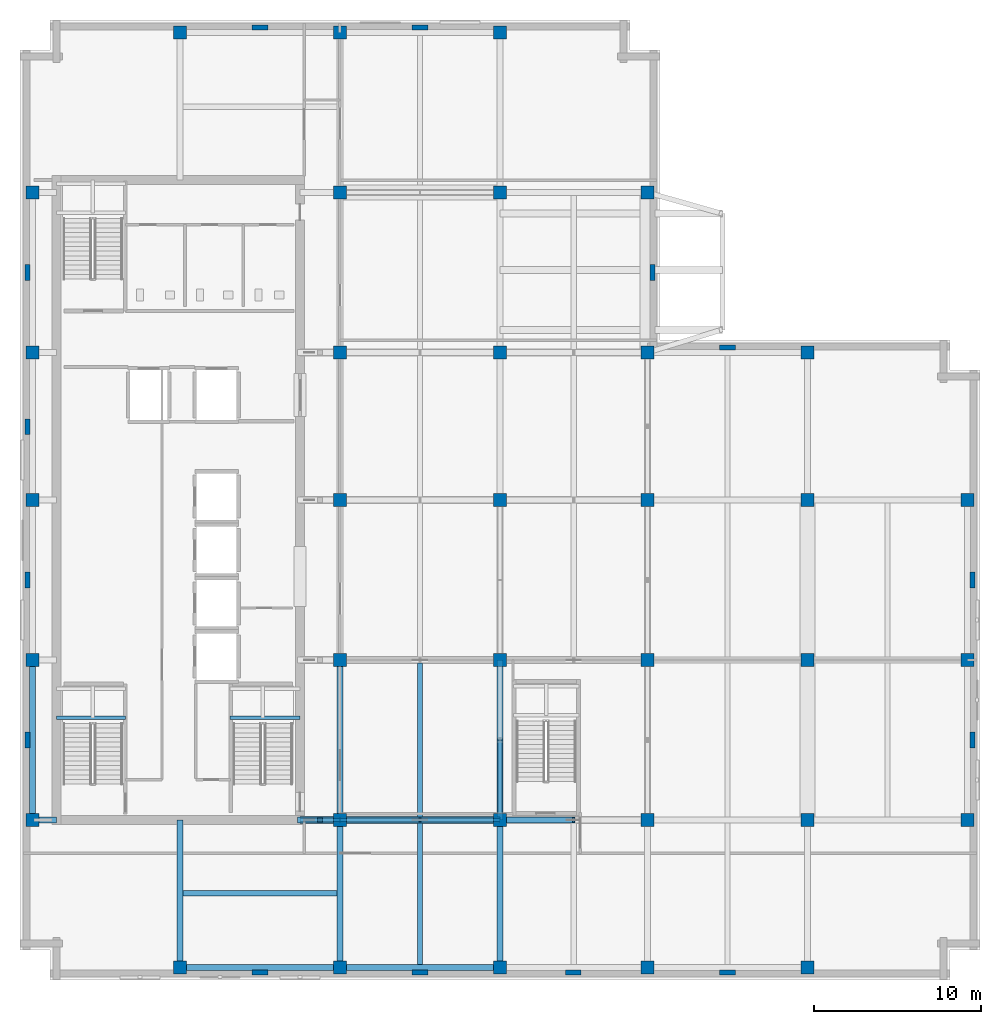
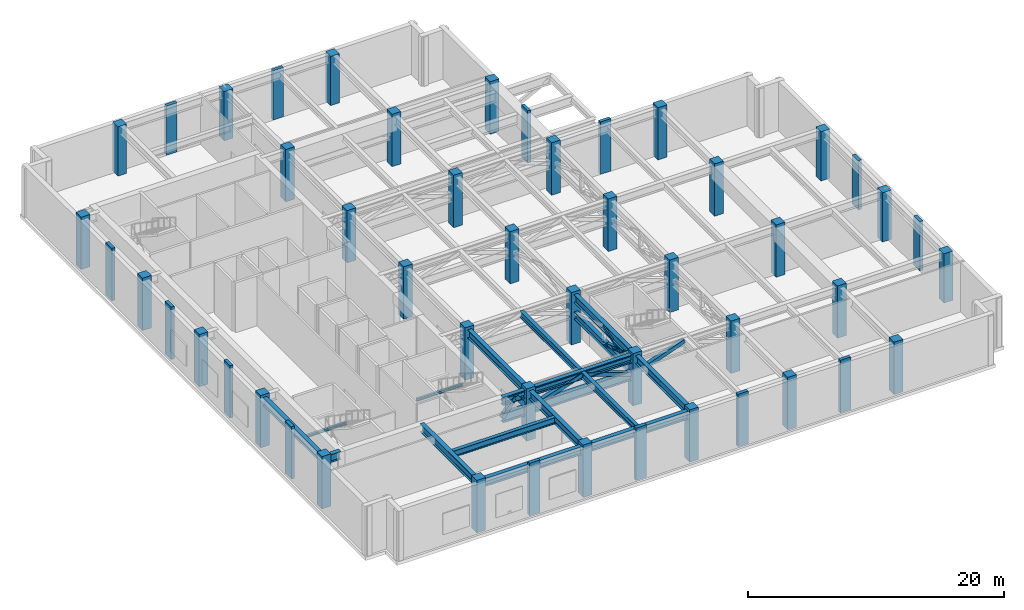
# One storey, part 1 of 19: 49 columns, 19 beams, 9 members.
"""IFC4 building model written with IfcOpenShell, lengths in metres."""

import ifcopenshell
import ifcopenshell.guid

model = None  # the IFC model being written
_history = None  # IfcOwnerHistory: only IFC2X3 demands one
_inside = {}  # id of a spatial element -> (the spatial element, [elements in it])
_under = {}  # id of a project, library or spatial element -> (it, [spatial elements below it])
_declared = {}  # id of a project -> (the project, [libraries it declares])
_typed = {}  # id of a type object -> (the type object, [elements of that type])
_made_of = {}  # id of a material, layer set ... -> (it, [elements and type objects made of it])


def new_model(schema):
    """Start an empty IFC model of exactly this schema.

    Asked for "IFC4X3", IfcOpenShell would pick the latest addendum, in which some entities
    have other attributes; the version numbers below select the first issue.
    IFC2X3 requires an IfcOwnerHistory on every rooted entity: one is made here for all.
    """
    global model, _history
    if schema == "IFC4X3":
        model = ifcopenshell.file(schema_version=(4, 3, 0, 0))
    else:
        model = ifcopenshell.file(schema=schema)
    _inside.clear()
    _under.clear()
    _declared.clear()
    _typed.clear()
    _made_of.clear()
    _history = None
    if model.schema == "IFC2X3":
        org = make("IfcOrganization", Name="unknown")
        user = make(
            "IfcPersonAndOrganization",
            ThePerson=make("IfcPerson", FamilyName="unknown"),
            TheOrganization=org,
        )
        app = make(
            "IfcApplication",
            ApplicationDeveloper=org,
            Version="unknown",
            ApplicationFullName="unknown",
            ApplicationIdentifier="unknown",
        )
        _history = make(
            "IfcOwnerHistory",
            OwningUser=user,
            OwningApplication=app,
            ChangeAction="ADDED",
            CreationDate=0,
        )
    return model


def make(cls, **values):
    """One entity of the class cls with the attributes given. An attribute that is None is left unset."""
    return model.create_entity(
        cls, **{name: value for name, value in values.items() if value is not None}
    )


def rooted(cls, **values):
    """An entity with a GlobalId (a new one), such as an element, a storey or a relation."""
    return make(cls, GlobalId=ifcopenshell.guid.new(), OwnerHistory=_history, **values)


def si_unit(unit_type, name, prefix=None):
    """IfcSIUnit, for example si_unit("LENGTHUNIT", "METRE", prefix="MILLI")."""
    return make("IfcSIUnit", UnitType=unit_type, Prefix=prefix, Name=name)


def assignment(units):
    """IfcUnitAssignment: the units of a project."""
    return None if units is None else make("IfcUnitAssignment", Units=units)


def point(xyz):
    """IfcCartesianPoint."""
    return None if xyz is None else make("IfcCartesianPoint", Coordinates=xyz)


def direction(xyz):
    """IfcDirection."""
    return None if xyz is None else make("IfcDirection", DirectionRatios=xyz)


def frame(location, z_axis=None, x_axis=None):
    """IfcAxis2Placement3D, a coordinate frame: its origin and axes. An axis left out is left unset."""
    return make(
        "IfcAxis2Placement3D",
        Location=point(location),
        Axis=direction(z_axis),
        RefDirection=direction(x_axis),
    )


def frame_2d(location, x_axis=None):
    """IfcAxis2Placement2D, a coordinate frame in the plane: its origin and x axis."""
    return make(
        "IfcAxis2Placement2D", Location=point(location), RefDirection=direction(x_axis)
    )


def origin():
    """The frame at (0, 0, 0) with its axes left unset."""
    return frame((0.0, 0.0, 0.0))


def origin_2d():
    """The frame at (0, 0) in the plane with its x axis left unset."""
    return frame_2d((0.0, 0.0))


def place(relative_to, where):
    """IfcLocalPlacement: puts the frame where relative to a parent placement (None: the world)."""
    return make(
        "IfcLocalPlacement", PlacementRelTo=relative_to, RelativePlacement=where
    )


def context(
    kind, dimensions, precision=None, world=None, true_north=None, identifier=None
):
    """IfcGeometricRepresentationContext, for example the 3D "Model" context."""
    return make(
        "IfcGeometricRepresentationContext",
        ContextIdentifier=identifier,
        ContextType=kind,
        CoordinateSpaceDimension=dimensions,
        Precision=precision,
        WorldCoordinateSystem=world,
        TrueNorth=true_north,
    )


def subcontext(parent, identifier, kind, view, scale=None):
    """IfcGeometricRepresentationSubContext, for example "Body" below "Model"."""
    return make(
        "IfcGeometricRepresentationSubContext",
        ContextIdentifier=identifier,
        ContextType=kind,
        ParentContext=parent,
        TargetScale=scale,
        TargetView=view,
    )


def project(units=None, contexts=None):
    """IfcProject with its units and contexts."""
    return rooted(
        "IfcProject",
        Name="project",
        RepresentationContexts=contexts,
        UnitsInContext=assignment(units),
    )


def spatial(cls, under=None, at=None, **own):
    """A site, building, storey or space (cls), placed at a placement, below another one or the project."""
    s = rooted(cls, ObjectPlacement=at, **own)
    if under is not None:
        _under.setdefault(under.id(), (under, []))[1].append(s)
    return s


def profile(cls, at=None, kind="AREA", **sizes):
    """A parametric profile (cls). Its sizes go by their IFC names, for example OverallWidth=200.0."""
    return make(cls, ProfileType=kind, Position=at, **sizes)


def rectangle(**sizes):
    """IfcRectangleProfileDef."""
    return profile("IfcRectangleProfileDef", **sizes)


def hollow_rectangle(**sizes):
    """IfcRectangleHollowProfileDef."""
    return profile("IfcRectangleHollowProfileDef", **sizes)


def i_section(**sizes):
    """IfcIShapeProfileDef."""
    return profile("IfcIShapeProfileDef", **sizes)


def extrude(swept, where, along, depth):
    """IfcExtrudedAreaSolid: the profile swept, set in the frame where, extruded along a direction by depth."""
    return make(
        "IfcExtrudedAreaSolid",
        SweptArea=swept,
        Position=where,
        ExtrudedDirection=direction(along),
        Depth=depth,
    )


def shape(context_of_items, identifier, shape_type, items):
    """IfcShapeRepresentation: the items that make up one representation, for example the "Body"."""
    return make(
        "IfcShapeRepresentation",
        ContextOfItems=context_of_items,
        RepresentationIdentifier=identifier,
        RepresentationType=shape_type,
        Items=items,
    )


def material(Name=None, Category=None):
    """IfcMaterial."""
    return make("IfcMaterial", Name=Name, Category=Category)


def material_profile(
    of_material, cross_section, Name=None, Category=None, Priority=None
):
    """IfcMaterialProfile: a cross section and its material."""
    return make(
        "IfcMaterialProfile",
        Name=Name,
        Material=of_material,
        Profile=cross_section,
        Priority=Priority,
        Category=Category,
    )


def profile_set(profiles, Name=None, composite=None):
    """IfcMaterialProfileSet."""
    return make(
        "IfcMaterialProfileSet",
        Name=Name,
        MaterialProfiles=profiles,
        CompositeProfile=composite,
    )


def made_of(thing, what):
    """Note that an element or type object is made of a material, layer set ...; save() writes the relation."""
    if what is not None:
        _made_of.setdefault(what.id(), (what, []))[1].append(thing)
    return thing


def type_object(cls, material=None, **own):
    """A type object (cls), such as IfcWallType, which elements share."""
    return made_of(rooted(cls, **own), material)


def element(
    cls,
    number,
    at=None,
    inside=None,
    cuts=None,
    type_object=None,
    material=None,
    context=None,
    identifier="Body",
    shape_type=None,
    held_by="IfcProductDefinitionShape",
    body=None,
    shapes=None,
    **own,
):
    """One element of the class cls, such as IfcWall. Its Tag is "e" and its number.

    at: its placement. inside: the storey or other place that contains it. cuts: it is an
    opening in that element (IfcRelVoidsElement). A single representation is given by context,
    identifier, shape_type and body (its items); several are given by shapes. held_by: the class
    of the entity that holds the representations. save() writes the other relations.
    """
    e = rooted(cls, Tag="e%d" % number, ObjectPlacement=at, **own)
    if body is not None:
        shapes = [shape(context, identifier, shape_type, body)]
    if shapes is not None:
        e.Representation = make(held_by, Representations=shapes)
    if inside is not None:
        _inside.setdefault(inside.id(), (inside, []))[1].append(e)
    if cuts is not None:
        rooted(
            "IfcRelVoidsElement", RelatingBuildingElement=cuts, RelatedOpeningElement=e
        )
    if type_object is not None:
        _typed.setdefault(type_object.id(), (type_object, []))[1].append(e)
    return made_of(e, material)


def aggregate(whole, parts):
    """IfcRelAggregates: a whole, such as a stair, and the parts it consists of."""
    return rooted("IfcRelAggregates", RelatingObject=whole, RelatedObjects=parts)


def save(model, path):
    """Write the relations noted so far, then the file.

    IfcRelAggregates (storeys below a building ...), IfcRelContainedInSpatialStructure (elements
    in a storey), IfcRelDefinesByType, IfcRelAssociatesMaterial and IfcRelDeclares: one each for
    every whole, place, type object, material and project.
    """
    for whole, parts in _under.values():
        aggregate(whole, parts)
    for where, things in _inside.values():
        rooted(
            "IfcRelContainedInSpatialStructure",
            RelatedElements=things,
            RelatingStructure=where,
        )
    for kind, things in _typed.values():
        rooted("IfcRelDefinesByType", RelatedObjects=things, RelatingType=kind)
    for what, things in _made_of.values():
        rooted("IfcRelAssociatesMaterial", RelatedObjects=things, RelatingMaterial=what)
    for by, libraries in _declared.values():
        rooted("IfcRelDeclares", RelatingContext=by, RelatedDefinitions=libraries)
    model.write(path)


model = new_model("IFC4")

# Units and contexts
model_context = context("Model", 3, precision=1e-05, world=origin(), true_north=direction((0.0, 1.0)))
body_context = subcontext(model_context, "Body", "Model", "MODEL_VIEW")
ifc_project = project(units=[si_unit("LENGTHUNIT", "METRE"), si_unit("AREAUNIT", "SQUARE_METRE"), si_unit("VOLUMEUNIT", "CUBIC_METRE"), si_unit("PLANEANGLEUNIT", "RADIAN"), si_unit("MASSUNIT", "GRAM", prefix="KILO")], contexts=[model_context])

# Site, building, storey
site_placement = place(None, origin())
site = spatial("IfcSite", under=ifc_project, at=site_placement, CompositionType="ELEMENT")
building_placement = place(site_placement, origin())
building = spatial("IfcBuilding", under=site, at=building_placement, Name="Norrvale University Quadrangle", CompositionType="ELEMENT")
storey_placement = place(building_placement, frame((0.0, 0.0, 256.0)))
storey = spatial("IfcBuildingStorey", under=building, at=storey_placement, Name="L65", CompositionType="ELEMENT", Elevation=256.0)

# Columns
ifc_material_1 = material(Name="Red Manganese Brick Concrete C60/75", Category="concrete")
ifc_material_profile_1 = material_profile(ifc_material_1, rectangle(XDim=0.949951171875, YDim=0.300048828125, at=origin_2d()), Name="Red Manganese Brick Concrete C60/75")
ifc_profile_set_1 = profile_set([ifc_material_profile_1], Name="Red Manganese Brick Concrete C60/75")
column_type_1 = type_object("IfcColumnType", Name="Column Brick Pier 950x300", PredefinedType="PILASTER", material=ifc_profile_set_1)
for number, where, z_axis, x_axis, name in (
    (1, (0.449951171875, 14.39990234375, 0.0), (0.0, 0.0, 1.0), (0.0, 1.0, 0.0), "Exterior Brick Facade Pilaster L65-01"),
    (2, (0.449951171875, 24.0, 0.0), (0.0, 0.0, 1.0), (0.0, 1.0, 0.0), "Exterior Brick Facade Pilaster L65-02"),
    (3, (0.449951171875, 33.199951171875, 0.0), (0.0, 0.0, 1.0), (0.0, 1.0, 0.0), "Exterior Brick Facade Pilaster L65-03"),
    (4, (0.449951171875, 42.449951171875, 0.0), (0.0, 0.0, 1.0), (0.0, 1.0, 0.0), "Exterior Brick Facade Pilaster L65-04"),
    (5, (14.39990234375, 0.449951171875, 0.0), (0.0, 0.0, 1.0), (1.0, 0.0, 0.0), "Exterior Brick Facade Pilaster L65-05"),
    (6, (24.0, 0.449951171875, 0.0), (0.0, 0.0, 1.0), (1.0, 0.0, 0.0), "Exterior Brick Facade Pilaster L65-06"),
    (7, (33.199951171875, 0.449951171875, 0.0), (0.0, 0.0, 1.0), (1.0, 0.0, 0.0), "Exterior Brick Facade Pilaster L65-07"),
    (8, (42.449951171875, 0.449951171875, 0.0), (0.0, 0.0, 1.0), (1.0, 0.0, 0.0), "Exterior Brick Facade Pilaster L65-08"),
):
    element("IfcColumn", number, at=place(storey_placement, frame(where, z_axis=z_axis, x_axis=x_axis)), inside=storey, type_object=column_type_1, Name=name, PredefinedType="PILASTER", context=body_context, shape_type="SweptSolid", body=[
        extrude(rectangle(XDim=0.949951171875, YDim=0.300048828125, at=origin_2d()), origin(), (0.0, 0.0, 1.0), 5.0),
    ])
for number, where, z_axis, x_axis, name in (
    (9, (57.14990234375, 14.39990234375, 0.0), (0.0, 0.0, 1.0), (0.0, 1.0, 0.0), "Exterior Brick Facade Pilaster L65-09"),
    (10, (57.14990234375, 24.0, 0.0), (0.0, 0.0, 1.0), (0.0, 1.0, 0.0), "Exterior Brick Facade Pilaster L65-10"),
    (11, (14.39990234375, 57.14990234375, 0.0), (0.0, 0.0, 1.0), (1.0, 0.0, 0.0), "Exterior Brick Facade Pilaster L65-11"),
    (12, (24.0, 57.14990234375, 0.0), (0.0, 0.0, 1.0), (1.0, 0.0, 0.0), "Exterior Brick Facade Pilaster L65-12"),
):
    element("IfcColumn", number, at=place(storey_placement, frame(where, z_axis=z_axis, x_axis=x_axis)), inside=storey, type_object=column_type_1, Name=name, PredefinedType="PILASTER", context=body_context, shape_type="SweptSolid", body=[
        extrude(rectangle(XDim=0.949951171875, YDim=0.300048828125, at=origin_2d()), origin(), (0.0, 0.0, 1.0), 4.699951171875),
    ])
for number, where, z_axis, x_axis, name in (
    (13, (37.949951171875, 42.449951171875, 0.0), (0.0, 0.0, 1.0), (0.0, 1.0, 0.0), "Exterior Brick Facade Pilaster L65-13"),
    (14, (42.449951171875, 37.949951171875, 0.0), (0.0, 0.0, 1.0), (1.0, 0.0, 0.0), "Exterior Brick Facade Pilaster L65-14"),
):
    element("IfcColumn", number, at=place(storey_placement, frame(where, z_axis=z_axis, x_axis=x_axis)), inside=storey, type_object=column_type_1, Name=name, PredefinedType="PILASTER", context=body_context, shape_type="SweptSolid", body=[
        extrude(rectangle(XDim=0.949951171875, YDim=0.300048828125, at=origin_2d()), origin(), (0.0, 0.0, 1.0), 5.0),
    ])
ifc_material_2 = material(Name="Concrete C60/75", Category="concrete")
ifc_material_profile_2 = material_profile(ifc_material_2, rectangle(XDim=0.800048828125, YDim=0.800048828125, at=origin_2d()), Name="Concrete C60/75")
ifc_profile_set_2 = profile_set([ifc_material_profile_2], Name="Concrete C60/75")
column_type_2 = type_object("IfcColumnType", Name="Column Tower Z3 800x800", PredefinedType="COLUMN", material=ifc_profile_set_2)
for number, where, z_axis, x_axis, name in (
    (15, (0.75, 9.60009765625, 0.0), (0.0, 0.0, 1.0), (1.0, 0.0, 0.0), "Tower Column L65-T01"),
    (16, (0.75, 19.199951171875, 0.0), (0.0, 0.0, 1.0), (1.0, 0.0, 0.0), "Tower Column L65-T02"),
    (17, (0.75, 28.800048828125, 0.0), (0.0, 0.0, 1.0), (1.0, 0.0, 0.0), "Tower Column L65-T03"),
    (18, (0.75, 37.64990234375, 0.0), (0.0, 0.0, 1.0), (1.0, 0.0, 0.0), "Tower Column L65-T04"),
    (19, (0.75, 47.25, 0.0), (0.0, 0.0, 1.0), (1.0, 0.0, 0.0), "Tower Column L65-T05"),
    (20, (9.60009765625, 0.75, 0.0), (0.0, 0.0, 1.0), (1.0, 0.0, 0.0), "Tower Column L65-T06"),
):
    element("IfcColumn", number, at=place(storey_placement, frame(where, z_axis=z_axis, x_axis=x_axis)), inside=storey, type_object=column_type_2, Name=name, PredefinedType="COLUMN", context=body_context, shape_type="SweptSolid", body=[
        extrude(rectangle(XDim=0.800048828125, YDim=0.800048828125, at=origin_2d()), origin(), (0.0, 0.0, 1.0), 5.0),
    ])
column_1_placement = place(storey_placement, frame((9.60009765625, 56.85009765625, 0.0), z_axis=(0.0, 0.0, 1.0), x_axis=(1.0, 0.0, 0.0)))
element("IfcColumn", 21, at=column_1_placement, inside=storey, type_object=column_type_2, Name="Tower Column L65-T07", PredefinedType="COLUMN", context=body_context, shape_type="SweptSolid", body=[
    extrude(rectangle(XDim=0.800048828125, YDim=0.800048828125, at=origin_2d()), origin(), (0.0, 0.0, 1.0), 4.699951171875),
])
for number, where, z_axis, x_axis, name in (
    (22, (19.199951171875, 0.75, 0.0), (0.0, 0.0, 1.0), (1.0, 0.0, 0.0), "Tower Column L65-T08"),
    (23, (19.199951171875, 9.60009765625, 0.0), (0.0, 0.0, 1.0), (1.0, 0.0, 0.0), "Tower Column L65-T09"),
    (24, (19.199951171875, 19.199951171875, 0.0), (0.0, 0.0, 1.0), (1.0, 0.0, 0.0), "Tower Column L65-T10"),
    (25, (19.199951171875, 28.800048828125, 0.0), (0.0, 0.0, 1.0), (1.0, 0.0, 0.0), "Tower Column L65-T11"),
    (26, (19.199951171875, 37.64990234375, 0.0), (0.0, 0.0, 1.0), (1.0, 0.0, 0.0), "Tower Column L65-T12"),
    (27, (19.199951171875, 47.25, 0.0), (0.0, 0.0, 1.0), (1.0, 0.0, 0.0), "Tower Column L65-T13"),
):
    element("IfcColumn", number, at=place(storey_placement, frame(where, z_axis=z_axis, x_axis=x_axis)), inside=storey, type_object=column_type_2, Name=name, PredefinedType="COLUMN", context=body_context, shape_type="SweptSolid", body=[
        extrude(rectangle(XDim=0.800048828125, YDim=0.800048828125, at=origin_2d()), origin(), (0.0, 0.0, 1.0), 5.0),
    ])
column_2_placement = place(storey_placement, frame((19.199951171875, 56.85009765625, 0.0), z_axis=(0.0, 0.0, 1.0), x_axis=(1.0, 0.0, 0.0)))
element("IfcColumn", 28, at=column_2_placement, inside=storey, type_object=column_type_2, Name="Tower Column L65-T14", PredefinedType="COLUMN", context=body_context, shape_type="SweptSolid", body=[
    extrude(rectangle(XDim=0.800048828125, YDim=0.800048828125, at=origin_2d()), origin(), (0.0, 0.0, 1.0), 4.699951171875),
])
for number, where, z_axis, x_axis, name in (
    (29, (28.800048828125, 0.75, 0.0), (0.0, 0.0, 1.0), (1.0, 0.0, 0.0), "Tower Column L65-T15"),
    (30, (28.800048828125, 9.60009765625, 0.0), (0.0, 0.0, 1.0), (1.0, 0.0, 0.0), "Tower Column L65-T16"),
    (31, (28.800048828125, 19.199951171875, 0.0), (0.0, 0.0, 1.0), (1.0, 0.0, 0.0), "Tower Column L65-T17"),
    (32, (28.800048828125, 28.800048828125, 0.0), (0.0, 0.0, 1.0), (1.0, 0.0, 0.0), "Tower Column L65-T18"),
    (33, (28.800048828125, 37.64990234375, 0.0), (0.0, 0.0, 1.0), (1.0, 0.0, 0.0), "Tower Column L65-T19"),
    (34, (28.800048828125, 47.25, 0.0), (0.0, 0.0, 1.0), (1.0, 0.0, 0.0), "Tower Column L65-T20"),
):
    element("IfcColumn", number, at=place(storey_placement, frame(where, z_axis=z_axis, x_axis=x_axis)), inside=storey, type_object=column_type_2, Name=name, PredefinedType="COLUMN", context=body_context, shape_type="SweptSolid", body=[
        extrude(rectangle(XDim=0.800048828125, YDim=0.800048828125, at=origin_2d()), origin(), (0.0, 0.0, 1.0), 5.0),
    ])
column_3_placement = place(storey_placement, frame((28.800048828125, 56.85009765625, 0.0), z_axis=(0.0, 0.0, 1.0), x_axis=(1.0, 0.0, 0.0)))
element("IfcColumn", 35, at=column_3_placement, inside=storey, type_object=column_type_2, Name="Tower Column L65-T21", PredefinedType="COLUMN", context=body_context, shape_type="SweptSolid", body=[
    extrude(rectangle(XDim=0.800048828125, YDim=0.800048828125, at=origin_2d()), origin(), (0.0, 0.0, 1.0), 4.699951171875),
])
for number, where, z_axis, x_axis, name in (
    (36, (37.64990234375, 0.75, 0.0), (0.0, 0.0, 1.0), (1.0, 0.0, 0.0), "Tower Column L65-T22"),
    (37, (37.64990234375, 9.60009765625, 0.0), (0.0, 0.0, 1.0), (1.0, 0.0, 0.0), "Tower Column L65-T23"),
    (38, (37.64990234375, 19.199951171875, 0.0), (0.0, 0.0, 1.0), (1.0, 0.0, 0.0), "Tower Column L65-T24"),
    (39, (37.64990234375, 28.800048828125, 0.0), (0.0, 0.0, 1.0), (1.0, 0.0, 0.0), "Tower Column L65-T25"),
    (40, (37.64990234375, 37.64990234375, 0.0), (0.0, 0.0, 1.0), (1.0, 0.0, 0.0), "Tower Column L65-T26"),
    (41, (37.64990234375, 47.25, 0.0), (0.0, 0.0, 1.0), (1.0, 0.0, 0.0), "Tower Column L65-T27"),
    (42, (47.25, 0.75, 0.0), (0.0, 0.0, 1.0), (1.0, 0.0, 0.0), "Tower Column L65-T28"),
    (43, (47.25, 9.60009765625, 0.0), (0.0, 0.0, 1.0), (1.0, 0.0, 0.0), "Tower Column L65-T29"),
    (44, (47.25, 19.199951171875, 0.0), (0.0, 0.0, 1.0), (1.0, 0.0, 0.0), "Tower Column L65-T30"),
    (45, (47.25, 28.800048828125, 0.0), (0.0, 0.0, 1.0), (1.0, 0.0, 0.0), "Tower Column L65-T31"),
    (46, (47.25, 37.64990234375, 0.0), (0.0, 0.0, 1.0), (1.0, 0.0, 0.0), "Tower Column L65-T32"),
):
    element("IfcColumn", number, at=place(storey_placement, frame(where, z_axis=z_axis, x_axis=x_axis)), inside=storey, type_object=column_type_2, Name=name, PredefinedType="COLUMN", context=body_context, shape_type="SweptSolid", body=[
        extrude(rectangle(XDim=0.800048828125, YDim=0.800048828125, at=origin_2d()), origin(), (0.0, 0.0, 1.0), 5.0),
    ])
for number, where, z_axis, x_axis, name in (
    (47, (56.85009765625, 9.60009765625, 0.0), (0.0, 0.0, 1.0), (1.0, 0.0, 0.0), "Tower Column L65-T33"),
    (48, (56.85009765625, 19.199951171875, 0.0), (0.0, 0.0, 1.0), (1.0, 0.0, 0.0), "Tower Column L65-T34"),
    (49, (56.85009765625, 28.800048828125, 0.0), (0.0, 0.0, 1.0), (1.0, 0.0, 0.0), "Tower Column L65-T35"),
):
    element("IfcColumn", number, at=place(storey_placement, frame(where, z_axis=z_axis, x_axis=x_axis)), inside=storey, type_object=column_type_2, Name=name, PredefinedType="COLUMN", context=body_context, shape_type="SweptSolid", body=[
        extrude(rectangle(XDim=0.800048828125, YDim=0.800048828125, at=origin_2d()), origin(), (0.0, 0.0, 1.0), 4.699951171875),
    ])

# Beams
ifc_material_3 = material(Name="Steel 350W", Category="steel")
ifc_material_profile_3 = material_profile(ifc_material_3, i_section(OverallWidth=0.324951171875, OverallDepth=0.615966796875, WebThickness=0.013916015625, FlangeThickness=0.021484375, FilletRadius=0.01611328125, at=origin_2d()), Name="Steel 350W")
ifc_profile_set_3 = profile_set([ifc_material_profile_3], Name="Steel 350W")
beam_type_1 = type_object("IfcBeamType", Name="Beam Belt W610x174", PredefinedType="BEAM", material=ifc_profile_set_3)
beam_1_placement = place(storey_placement, frame((24.0, 0.9404296875, 4.431884765625), z_axis=(0.0, 1.0, 0.0), x_axis=(-1.0, 0.0, 0.0)))
element("IfcBeam", 50, at=beam_1_placement, inside=storey, type_object=beam_type_1, Name="Beam Belt W610x174 BM-L65-J057", PredefinedType="BEAM", context=body_context, shape_type="SweptSolid", body=[
    extrude(i_section(OverallWidth=0.324951171875, OverallDepth=0.615966796875, WebThickness=0.013916015625, FlangeThickness=0.021484375, FilletRadius=0.01611328125, at=origin_2d()), origin(), (0.0, 0.0, 1.0), 8.468994140625),
])
for number, where, z_axis, x_axis, name in (
    (51, (24.0, 9.79052734375, 4.431884765625), (0.0, 1.0, 0.0), (-1.0, 0.0, 0.0), "Beam Belt W610x174 BM-L65-J058"),
    (52, (9.79052734375, 5.199951171875, 4.431884765625), (1.0, 0.0, 0.0), (0.0, 1.0, 0.0), "Beam Belt W610x174 BM-L65-JCS074"),
):
    element("IfcBeam", number, at=place(storey_placement, frame(where, z_axis=z_axis, x_axis=x_axis)), inside=storey, type_object=beam_type_1, Name=name, PredefinedType="BEAM", context=body_context, shape_type="SweptSolid", body=[
        extrude(i_section(OverallWidth=0.324951171875, OverallDepth=0.615966796875, WebThickness=0.013916015625, FlangeThickness=0.021484375, FilletRadius=0.01611328125, at=origin_2d()), origin(), (0.0, 0.0, 1.0), 9.218994140625),
    ])
ifc_material_profile_4 = material_profile(ifc_material_3, i_section(OverallWidth=0.35498046875, OverallDepth=0.695068359375, WebThickness=0.015380859375, FlangeThickness=0.02490234375, FilletRadius=0.01806640625, at=origin_2d()), Name="Steel 350W")
ifc_profile_set_4 = profile_set([ifc_material_profile_4], Name="Steel 350W")
beam_type_2 = type_object("IfcBeamType", Name="Beam Belt W690x217", PredefinedType="BEAM", material=ifc_profile_set_4)
beam_2_placement = place(storey_placement, frame((28.800048828125, 9.60009765625, 2.75), z_axis=(0.0, 1.0, 0.0), x_axis=(-1.0, 0.0, 0.0)))
element("IfcBeam", 53, at=beam_2_placement, inside=storey, type_object=beam_type_2, Name="Belt Truss Chord L65-04", PredefinedType="BEAM", context=body_context, shape_type="SweptSolid", body=[
    extrude(i_section(OverallWidth=0.35498046875, OverallDepth=0.695068359375, WebThickness=0.015380859375, FlangeThickness=0.02490234375, FilletRadius=0.01806640625, at=origin_2d()), origin(), (0.0, 0.0, 1.0), 9.599853515625),
])
ifc_material_profile_5 = material_profile(ifc_material_3, i_section(OverallWidth=0.381103515625, OverallDepth=0.77294921875, WebThickness=0.0166015625, FlangeThickness=0.027587890625, FilletRadius=0.02001953125, at=origin_2d()), Name="Steel 350W")
ifc_profile_set_5 = profile_set([ifc_material_profile_5], Name="Steel 350W")
beam_type_3 = type_object("IfcBeamType", Name="Beam Outrig W760x257", PredefinedType="BEAM", material=ifc_profile_set_5)
beam_3_placement = place(storey_placement, frame((9.60009765625, 0.75, 4.353515625), z_axis=(1.0, 0.0, 0.0), x_axis=(0.0, 1.0, 0.0)))
element("IfcBeam", 54, at=beam_3_placement, inside=storey, type_object=beam_type_3, Name="Beam Outrig W760x257 BM-L65-GX001", PredefinedType="BEAM", context=body_context, shape_type="SweptSolid", body=[
    extrude(i_section(OverallWidth=0.381103515625, OverallDepth=0.77294921875, WebThickness=0.0166015625, FlangeThickness=0.027587890625, FilletRadius=0.02001953125, at=origin_2d()), origin(), (0.0, 0.0, 1.0), 9.599853515625),
])
for number, where, z_axis, x_axis, name in (
    (55, (19.199951171875, 0.75, 4.353515625), (1.0, 0.0, 0.0), (0.0, 1.0, 0.0), "Beam Outrig W760x257 BM-L65-GX002"),
    (56, (19.199951171875, 9.60009765625, 4.353515625), (1.0, 0.0, 0.0), (0.0, 1.0, 0.0), "Beam Outrig W760x257 BM-L65-GX005"),
):
    element("IfcBeam", number, at=place(storey_placement, frame(where, z_axis=z_axis, x_axis=x_axis)), inside=storey, type_object=beam_type_3, Name=name, PredefinedType="BEAM", context=body_context, shape_type="SweptSolid", body=[
        extrude(i_section(OverallWidth=0.381103515625, OverallDepth=0.77294921875, WebThickness=0.0166015625, FlangeThickness=0.027587890625, FilletRadius=0.02001953125, at=origin_2d()), origin(), (0.0, 0.0, 1.0), 9.60009765625),
    ])
beam_4_placement = place(storey_placement, frame((0.75, 9.60009765625, 4.353515625), z_axis=(0.0, 1.0, 0.0), x_axis=(-1.0, 0.0, 0.0)))
element("IfcBeam", 57, at=beam_4_placement, inside=storey, type_object=beam_type_3, Name="Beam Outrig W760x257 BM-L65-GY023", PredefinedType="BEAM", context=body_context, shape_type="SweptSolid", body=[
    extrude(i_section(OverallWidth=0.381103515625, OverallDepth=0.77294921875, WebThickness=0.0166015625, FlangeThickness=0.027587890625, FilletRadius=0.02001953125, at=origin_2d()), origin(), (0.0, 0.0, 1.0), 9.599853515625),
])
beam_5_placement = place(storey_placement, frame((19.199951171875, 0.75, 4.353515625), z_axis=(0.0, 1.0, 0.0), x_axis=(-1.0, 0.0, 0.0)))
element("IfcBeam", 58, at=beam_5_placement, inside=storey, type_object=beam_type_3, Name="Beam Outrig W760x257 BM-L65-GY027", PredefinedType="BEAM", context=body_context, shape_type="SweptSolid", body=[
    extrude(i_section(OverallWidth=0.381103515625, OverallDepth=0.77294921875, WebThickness=0.0166015625, FlangeThickness=0.027587890625, FilletRadius=0.02001953125, at=origin_2d()), origin(), (0.0, 0.0, 1.0), 8.85009765625),
])
beam_6_placement = place(storey_placement, frame((19.199951171875, 9.60009765625, 4.353515625), z_axis=(0.0, 1.0, 0.0), x_axis=(-1.0, 0.0, 0.0)))
element("IfcBeam", 59, at=beam_6_placement, inside=storey, type_object=beam_type_3, Name="Beam Outrig W760x257 BM-L65-GY028", PredefinedType="BEAM", context=body_context, shape_type="SweptSolid", body=[
    extrude(i_section(OverallWidth=0.381103515625, OverallDepth=0.77294921875, WebThickness=0.0166015625, FlangeThickness=0.027587890625, FilletRadius=0.02001953125, at=origin_2d()), origin(), (0.0, 0.0, 1.0), 9.599853515625),
])
beam_7_placement = place(storey_placement, frame((28.800048828125, 0.75, 4.353515625), z_axis=(0.0, 1.0, 0.0), x_axis=(-1.0, 0.0, 0.0)))
element("IfcBeam", 60, at=beam_7_placement, inside=storey, type_object=beam_type_3, Name="Beam Outrig W760x257 BM-L65-GY033", PredefinedType="BEAM", context=body_context, shape_type="SweptSolid", body=[
    extrude(i_section(OverallWidth=0.381103515625, OverallDepth=0.77294921875, WebThickness=0.0166015625, FlangeThickness=0.027587890625, FilletRadius=0.02001953125, at=origin_2d()), origin(), (0.0, 0.0, 1.0), 8.85009765625),
])
beam_8_placement = place(storey_placement, frame((28.800048828125, 9.60009765625, 4.353515625), z_axis=(0.0, 1.0, 0.0), x_axis=(-1.0, 0.0, 0.0)))
element("IfcBeam", 61, at=beam_8_placement, inside=storey, type_object=beam_type_3, Name="Beam Outrig W760x257 BM-L65-GY034", PredefinedType="BEAM", context=body_context, shape_type="SweptSolid", body=[
    extrude(i_section(OverallWidth=0.381103515625, OverallDepth=0.77294921875, WebThickness=0.0166015625, FlangeThickness=0.027587890625, FilletRadius=0.02001953125, at=origin_2d()), origin(), (0.0, 0.0, 1.0), 9.599853515625),
])
beam_9_placement = place(storey_placement, frame((0.75, 9.60009765625, 4.353515625), z_axis=(1.0, 0.0, 0.0), x_axis=(0.0, 1.0, 0.0)))
element("IfcBeam", 62, at=beam_9_placement, inside=storey, type_object=beam_type_3, Name="Beam Outrig W760x257 BM-L65-GCW047", PredefinedType="BEAM", context=body_context, shape_type="SweptSolid", body=[
    extrude(i_section(OverallWidth=0.381103515625, OverallDepth=0.77294921875, WebThickness=0.0166015625, FlangeThickness=0.027587890625, FilletRadius=0.02001953125, at=origin_2d()), origin(), (0.0, 0.0, 1.0), 1.449951171875),
])
beam_10_placement = place(storey_placement, frame((16.800048828125, 9.60009765625, 4.353515625), z_axis=(1.0, 0.0, 0.0), x_axis=(0.0, 1.0, 0.0)))
element("IfcBeam", 63, at=beam_10_placement, inside=storey, type_object=beam_type_3, Name="Beam Outrig W760x257 BM-L65-GCE048", PredefinedType="BEAM", context=body_context, shape_type="SweptSolid", body=[
    extrude(i_section(OverallWidth=0.381103515625, OverallDepth=0.77294921875, WebThickness=0.0166015625, FlangeThickness=0.027587890625, FilletRadius=0.02001953125, at=origin_2d()), origin(), (0.0, 0.0, 1.0), 2.39990234375),
])
beam_11_placement = place(storey_placement, frame((9.60009765625, 0.75, 4.353515625), z_axis=(0.0, 1.0, 0.0), x_axis=(-1.0, 0.0, 0.0)))
element("IfcBeam", 64, at=beam_11_placement, inside=storey, type_object=beam_type_3, Name="Beam Outrig W760x257 BM-L65-GCS073", PredefinedType="BEAM", context=body_context, shape_type="SweptSolid", body=[
    extrude(i_section(OverallWidth=0.381103515625, OverallDepth=0.77294921875, WebThickness=0.0166015625, FlangeThickness=0.027587890625, FilletRadius=0.02001953125, at=origin_2d()), origin(), (0.0, 0.0, 1.0), 8.85009765625),
])
ifc_material_profile_6 = material_profile(ifc_material_3, i_section(OverallWidth=0.39990234375, OverallDepth=0.85498046875, WebThickness=0.018310546875, FlangeThickness=0.029296875, FilletRadius=0.02197265625, at=origin_2d()), Name="Steel 350W")
ifc_profile_set_6 = profile_set([ifc_material_profile_6], Name="Steel 350W")
beam_type_4 = type_object("IfcBeamType", Name="Beam Outrig W840x299", PredefinedType="BEAM", material=ifc_profile_set_6)
beam_12_placement = place(storey_placement, frame((16.800048828125, 9.60009765625, 2.75), z_axis=(1.0, 0.0, 0.0), x_axis=(0.0, 1.0, 0.0)))
element("IfcBeam", 65, at=beam_12_placement, inside=storey, type_object=beam_type_4, Name="Outrigger Bottom Chord L65-1.1", PredefinedType="BEAM", context=body_context, shape_type="SweptSolid", body=[
    extrude(i_section(OverallWidth=0.39990234375, OverallDepth=0.85498046875, WebThickness=0.018310546875, FlangeThickness=0.029296875, FilletRadius=0.02197265625, at=origin_2d()), origin(), (0.0, 0.0, 1.0), 2.39990234375),
])
beam_13_placement = place(storey_placement, frame((19.199951171875, 9.60009765625, 2.75), z_axis=(1.0, 0.0, 0.0), x_axis=(0.0, 1.0, 0.0)))
element("IfcBeam", 66, at=beam_13_placement, inside=storey, type_object=beam_type_4, Name="Outrigger Bottom Chord L65-1.2", PredefinedType="BEAM", context=body_context, shape_type="SweptSolid", body=[
    extrude(i_section(OverallWidth=0.39990234375, OverallDepth=0.85498046875, WebThickness=0.018310546875, FlangeThickness=0.029296875, FilletRadius=0.02197265625, at=origin_2d()), origin(), (0.0, 0.0, 1.0), 9.60009765625),
])
ifc_material_profile_7 = material_profile(ifc_material_3, i_section(OverallWidth=0.201904296875, OverallDepth=0.2470703125, WebThickness=0.00732421875, FlangeThickness=0.010986328125, FilletRadius=0.011962890625, at=origin_2d()), Name="Steel 350W")
ifc_profile_set_7 = profile_set([ifc_material_profile_7], Name="Steel 350W")
beam_type_5 = type_object("IfcBeamType", Name="Beam Stair W250x49", PredefinedType="BEAM", material=ifc_profile_set_7)
beam_14_placement = place(storey_placement, frame((2.199951171875, 15.72998046875, 2.176513671875), z_axis=(1.0, 0.0, 0.0), x_axis=(0.0, 1.0, 0.0)))
element("IfcBeam", 67, at=beam_14_placement, inside=storey, type_object=beam_type_5, Name="Stair Mid-Landing Front Beam ST-01 L65", PredefinedType="BEAM", context=body_context, shape_type="SweptSolid", body=[
    extrude(i_section(OverallWidth=0.201904296875, OverallDepth=0.2470703125, WebThickness=0.00732421875, FlangeThickness=0.010986328125, FilletRadius=0.011962890625, at=origin_2d()), origin(), (0.0, 0.0, 1.0), 4.14013671875),
])
beam_15_placement = place(storey_placement, frame((12.610107421875, 15.72998046875, 2.176513671875), z_axis=(1.0, 0.0, 0.0), x_axis=(0.0, 1.0, 0.0)))
element("IfcBeam", 68, at=beam_15_placement, inside=storey, type_object=beam_type_5, Name="Stair Mid-Landing Front Beam ST-03 L65", PredefinedType="BEAM", context=body_context, shape_type="SweptSolid", body=[
    extrude(i_section(OverallWidth=0.201904296875, OverallDepth=0.2470703125, WebThickness=0.00732421875, FlangeThickness=0.010986328125, FilletRadius=0.011962890625, at=origin_2d()), origin(), (0.0, 0.0, 1.0), 4.18994140625),
])

# Members
ifc_material_profile_8 = material_profile(ifc_material_3, hollow_rectangle(XDim=0.25390625, YDim=0.25390625, WallThickness=0.012939453125, at=origin_2d()), Name="Steel 350W")
ifc_profile_set_8 = profile_set([ifc_material_profile_8], Name="Steel 350W")
member_type_1 = type_object("IfcMemberType", Name="Member Belt Diag HSS254", PredefinedType="BRACE", material=ifc_profile_set_8)
member_1_placement = place(storey_placement, frame((28.800048828125, 9.60009765625, 2.75), z_axis=(0.0, 0.94629347716, 0.323308915874), x_axis=(-1.0, 0.0, 0.0)))
element("IfcMember", 69, at=member_1_placement, inside=storey, type_object=member_type_1, Name="Belt Truss Brace L65-04A", PredefinedType="BRACE", context=body_context, shape_type="SweptSolid", body=[
    extrude(hollow_rectangle(XDim=0.25390625, YDim=0.25390625, WallThickness=0.012939453125, at=origin_2d()), origin(), (0.0, 0.0, 1.0), 5.072265625),
])
ifc_material_profile_9 = material_profile(ifc_material_3, hollow_rectangle(XDim=0.202880859375, YDim=0.304931640625, WallThickness=0.012939453125, at=origin_2d()), Name="Steel 350W")
ifc_profile_set_9 = profile_set([ifc_material_profile_9], Name="Steel 350W")
member_type_2 = type_object("IfcMemberType", Name="Member Chord HSS305x203", PredefinedType="CHORD", material=ifc_profile_set_9)
member_2_placement = place(storey_placement, frame((16.800048828125, 9.60009765625, 4.389892578125), z_axis=(1.0, 0.0, 0.0), x_axis=(0.0, 1.0, 0.0)))
element("IfcMember", 70, at=member_2_placement, inside=storey, type_object=member_type_2, Name="Outrigger Top Chord L65-1.1", PredefinedType="CHORD", context=body_context, shape_type="SweptSolid", body=[
    extrude(hollow_rectangle(XDim=0.202880859375, YDim=0.304931640625, WallThickness=0.012939453125, at=origin_2d()), origin(), (0.0, 0.0, 1.0), 2.39990234375),
])
member_3_placement = place(storey_placement, frame((19.199951171875, 9.60009765625, 4.389892578125), z_axis=(1.0, 0.0, 0.0), x_axis=(0.0, 1.0, 0.0)))
element("IfcMember", 71, at=member_3_placement, inside=storey, type_object=member_type_2, Name="Outrigger Top Chord L65-1.2", PredefinedType="CHORD", context=body_context, shape_type="SweptSolid", body=[
    extrude(hollow_rectangle(XDim=0.202880859375, YDim=0.304931640625, WallThickness=0.012939453125, at=origin_2d()), origin(), (0.0, 0.0, 1.0), 9.60009765625),
])
ifc_material_profile_10 = material_profile(ifc_material_3, hollow_rectangle(XDim=0.35595703125, YDim=0.35595703125, WallThickness=0.01611328125, at=origin_2d()), Name="Steel 350W")
ifc_profile_set_10 = profile_set([ifc_material_profile_10], Name="Steel 350W")
member_type_3 = type_object("IfcMemberType", Name="Member Outrig Diag HSS356", PredefinedType="BRACE", material=ifc_profile_set_10)
for number, where, z_axis, x_axis, name in (
    (72, (16.800048828125, 9.60009765625, 2.75), (0.59051953716, 0.0, 0.807023343053), (0.0, 1.0, 0.0), "Outrigger Truss Diagonal L65-1.1A"),
    (73, (19.199951171875, 9.60009765625, 2.75), (-0.59051953716, 0.0, 0.807023343053), (0.0, -1.0, 0.0), "Outrigger Truss Diagonal L65-1.1B"),
):
    element("IfcMember", number, at=place(storey_placement, frame(where, z_axis=z_axis, x_axis=x_axis)), inside=storey, type_object=member_type_3, Name=name, PredefinedType="BRACE", context=body_context, shape_type="SweptSolid", body=[
        extrude(hollow_rectangle(XDim=0.35595703125, YDim=0.35595703125, WallThickness=0.01611328125, at=origin_2d()), origin(), (0.0, 0.0, 1.0), 2.031982421875),
    ])
for number, where, z_axis, x_axis, name in (
    (74, (19.199951171875, 9.60009765625, 2.75), (0.946298508087, 0.0, 0.32329419047), (0.0, 1.0, 0.0), "Outrigger Truss Diagonal L65-1.2A"),
    (75, (28.800048828125, 9.60009765625, 2.75), (-0.946298508087, 0.0, 0.32329419047), (0.0, -1.0, 0.0), "Outrigger Truss Diagonal L65-1.2B"),
):
    element("IfcMember", number, at=place(storey_placement, frame(where, z_axis=z_axis, x_axis=x_axis)), inside=storey, type_object=member_type_3, Name=name, PredefinedType="BRACE", context=body_context, shape_type="SweptSolid", body=[
        extrude(hollow_rectangle(XDim=0.35595703125, YDim=0.35595703125, WallThickness=0.01611328125, at=origin_2d()), origin(), (0.0, 0.0, 1.0), 5.072509765625),
    ])
member_4_placement = place(storey_placement, frame((28.800048828125, 9.60009765625, 2.75), z_axis=(0.937680720811, 0.0, 0.347498008369), x_axis=(0.0, 1.0, 0.0)))
element("IfcMember", 76, at=member_4_placement, inside=storey, type_object=member_type_3, Name="Outrigger Truss Diagonal L65-1.3A", PredefinedType="BRACE", context=body_context, shape_type="SweptSolid", body=[
    extrude(hollow_rectangle(XDim=0.35595703125, YDim=0.35595703125, WallThickness=0.01611328125, at=origin_2d()), origin(), (0.0, 0.0, 1.0), 4.71923828125),
])
ifc_material_profile_11 = material_profile(ifc_material_3, i_section(OverallWidth=0.30908203125, OverallDepth=0.322998046875, WebThickness=0.01318359375, FlangeThickness=0.02294921875, FilletRadius=0.014892578125, at=origin_2d()), Name="Steel 350W")
ifc_profile_set_11 = profile_set([ifc_material_profile_11], Name="Steel 350W")
member_type_4 = type_object("IfcMemberType", Name="Member Tie W310x143", PredefinedType="BRACE", material=ifc_profile_set_11)
member_5_placement = place(storey_placement, frame((28.800048828125, 9.60009765625, 4.389892578125), z_axis=(0.0, 0.94629347716, -0.323308915874), x_axis=(-1.0, 0.0, 0.0)))
element("IfcMember", 77, at=member_5_placement, inside=storey, type_object=member_type_4, Name="Belt Truss Tie Brace L65-04", PredefinedType="BRACE", context=body_context, shape_type="SweptSolid", body=[
    extrude(i_section(OverallWidth=0.30908203125, OverallDepth=0.322998046875, WebThickness=0.01318359375, FlangeThickness=0.02294921875, FilletRadius=0.014892578125, at=origin_2d()), origin(), (0.0, 0.0, 1.0), 5.072265625),
])

save(model, "model.ifc")
